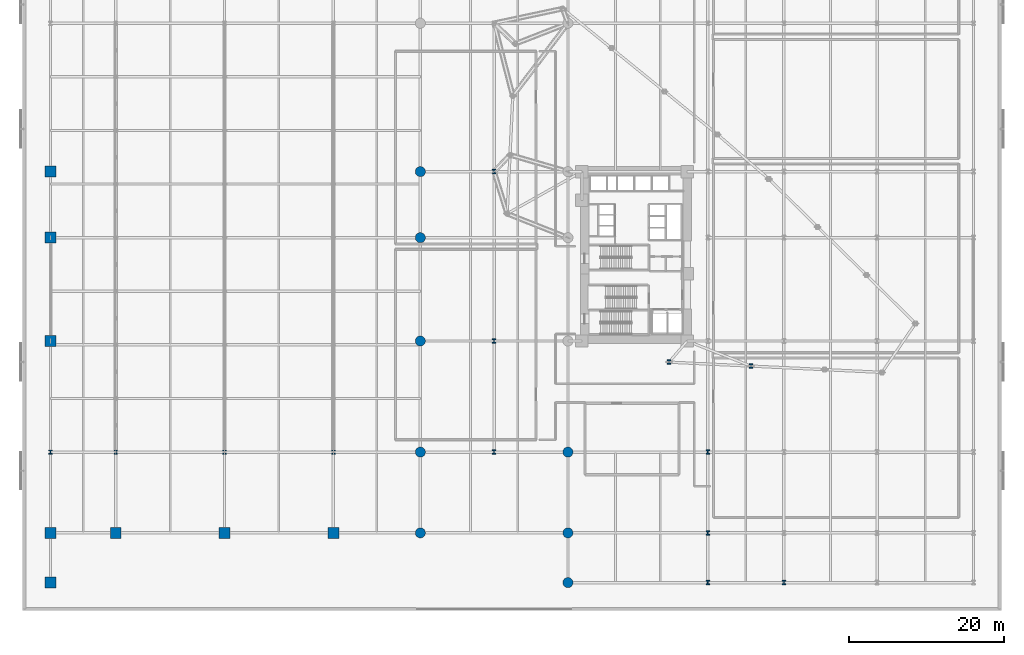
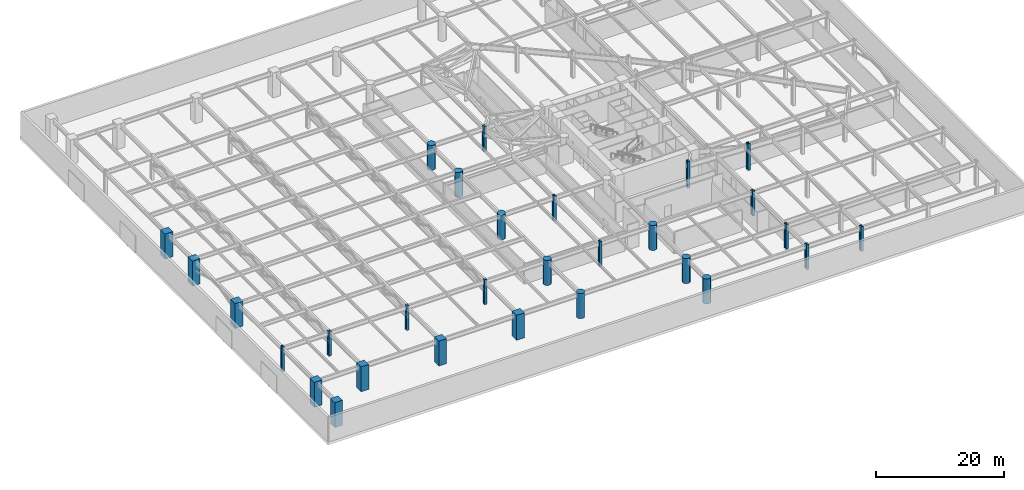
# One storey, part 1 of 40: 29 columns.
"""IFC4 building model written with IfcOpenShell, lengths in metres."""

from ifc_helpers import new_model, si_unit, direction, frame, origin, origin_2d, place, context, subcontext, project, spatial, rectangle, circle, i_section, extrude, material, material_profile, profile_set, type_object, element, save


model = new_model("IFC4")

# Units and contexts
model_context = context("Model", 3, precision=1e-05, world=origin(), true_north=direction((0.0, 1.0)))
body_context = subcontext(model_context, "Body", "Model", "MODEL_VIEW")
ifc_project = project(units=[si_unit("LENGTHUNIT", "METRE"), si_unit("AREAUNIT", "SQUARE_METRE"), si_unit("VOLUMEUNIT", "CUBIC_METRE"), si_unit("PLANEANGLEUNIT", "RADIAN"), si_unit("MASSUNIT", "GRAM", prefix="KILO")], contexts=[model_context])

# Site, building, storey
site_placement = place(None, origin())
site = spatial("IfcSite", under=ifc_project, at=site_placement, CompositionType="ELEMENT")
building_placement = place(site_placement, origin())
building = spatial("IfcBuilding", under=site, at=building_placement, Name="Narakoshi Arena Tower", CompositionType="ELEMENT")
storey_placement = place(building_placement, frame((0.0, 0.0, 21.60009765625)))
storey = spatial("IfcBuildingStorey", under=building, at=storey_placement, Name="L05", CompositionType="ELEMENT", Elevation=21.60009765625)

# Columns
ifc_material_1 = material(Name="Concrete C60/75", Category="concrete")
ifc_material_profile_1 = material_profile(ifc_material_1, circle(Radius=0.64990234375, at=origin_2d()), Name="RCC1300")
ifc_profile_set_1 = profile_set([ifc_material_profile_1], Name="Concrete C60/75")
column_type_1 = type_object("IfcColumnType", Name="COL-CIR1300", PredefinedType="PILASTER", material=ifc_profile_set_1)
for number, where, z_axis, x_axis, name in (
    (1, (51.199951171875, 10.0, 0.0), (0.0, 0.0, 1.0), (1.0, 0.0, 0.0), "L05 Podium Column PC22"),
    (2, (51.199951171875, 20.39990234375, 0.0), (0.0, 0.0, 1.0), (1.0, 0.0, 0.0), "L05 Podium Column PC23"),
    (3, (51.199951171875, 34.699951171875, 0.0), (0.0, 0.0, 1.0), (1.0, 0.0, 0.0), "L05 Podium Column PC24"),
    (4, (51.199951171875, 48.0, 0.0), (0.0, 0.0, 1.0), (1.0, 0.0, 0.0), "L05 Podium Column PC25"),
    (5, (51.199951171875, 56.5, 0.0), (0.0, 0.0, 1.0), (1.0, 0.0, 0.0), "L05 Podium Column PC26"),
    (6, (70.199951171875, 3.60009765625, 0.0), (0.0, 0.0, 1.0), (1.0, 0.0, 0.0), "L05 Podium Column PC33"),
    (7, (70.199951171875, 10.0, 0.0), (0.0, 0.0, 1.0), (1.0, 0.0, 0.0), "L05 Podium Column PC34"),
    (8, (70.199951171875, 20.39990234375, 0.0), (0.0, 0.0, 1.0), (1.0, 0.0, 0.0), "L05 Podium Column PC35"),
):
    element("IfcColumn", number, at=place(storey_placement, frame(where, z_axis=z_axis, x_axis=x_axis)), inside=storey, type_object=column_type_1, Name=name, PredefinedType="PILASTER", context=body_context, shape_type="SweptSolid", body=[
        extrude(circle(Radius=0.64990234375, at=origin_2d()), origin(), (0.0, 0.0, 1.0), 4.75),
    ])
ifc_material_profile_2 = material_profile(ifc_material_1, rectangle(XDim=1.39990234375, YDim=1.39990234375, at=origin_2d()), Name="RC1400x1400")
ifc_profile_set_2 = profile_set([ifc_material_profile_2], Name="Concrete C60/75")
column_type_2 = type_object("IfcColumnType", Name="COL-RC1400", PredefinedType="COLUMN", material=ifc_profile_set_2)
for number, where, z_axis, x_axis, name in (
    (9, (3.60009765625, 3.60009765625, 0.0), (0.0, 0.0, 1.0), (1.0, 0.0, 0.0), "L05 Podium Column PC01"),
    (10, (3.60009765625, 10.0, 0.0), (0.0, 0.0, 1.0), (1.0, 0.0, 0.0), "L05 Podium Column PC02"),
    (11, (3.60009765625, 34.699951171875, 0.0), (0.0, 0.0, 1.0), (1.0, 0.0, 0.0), "L05 Podium Column PC04"),
    (12, (3.60009765625, 48.0, 0.0), (0.0, 0.0, 1.0), (1.0, 0.0, 0.0), "L05 Podium Column PC05"),
    (13, (3.60009765625, 56.5, 0.0), (0.0, 0.0, 1.0), (1.0, 0.0, 0.0), "L05 Podium Column PC06"),
    (14, (12.0, 10.0, 0.0), (0.0, 0.0, 1.0), (1.0, 0.0, 0.0), "L05 Podium Column PC10"),
    (15, (26.0, 10.0, 0.0), (0.0, 0.0, 1.0), (1.0, 0.0, 0.0), "L05 Podium Column PC14"),
    (16, (40.0, 10.0, 0.0), (0.0, 0.0, 1.0), (1.0, 0.0, 0.0), "L05 Podium Column PC18"),
):
    element("IfcColumn", number, at=place(storey_placement, frame(where, z_axis=z_axis, x_axis=x_axis)), inside=storey, type_object=column_type_2, Name=name, PredefinedType="COLUMN", context=body_context, shape_type="SweptSolid", body=[
        extrude(rectangle(XDim=1.39990234375, YDim=1.39990234375, at=origin_2d()), origin(), (0.0, 0.0, 1.0), 4.75),
    ])
ifc_material_2 = material(Name="Structural steel S355J2", Category="steel")
ifc_material_profile_3 = material_profile(ifc_material_2, i_section(OverallWidth=0.4541015625, OverallDepth=0.569091796875, WebThickness=0.077880859375, FlangeThickness=0.125, FilletRadius=0.014892578125, at=origin_2d()), Name="HD400x1086")
ifc_profile_set_3 = profile_set([ifc_material_profile_3], Name="Structural steel S355J2")
column_type_3 = type_object("IfcColumnType", Name="COL-STL1086", PredefinedType="COLUMN", material=ifc_profile_set_3)
for number, where, z_axis, x_axis, name in (
    (17, (60.699951171875, 20.39990234375, 0.0), (0.0, 0.0, 1.0), (1.0, 0.0, 0.0), "L05 Podium Column PC29"),
    (18, (60.699951171875, 34.699951171875, 0.0), (0.0, 0.0, 1.0), (1.0, 0.0, 0.0), "L05 Podium Column PC30"),
    (19, (60.699951171875, 56.5, 0.0), (0.0, 0.0, 1.0), (1.0, 0.0, 0.0), "L05 Podium Column PC31"),
    (20, (88.199951171875, 3.60009765625, 0.0), (0.0, 0.0, 1.0), (1.0, 0.0, 0.0), "L05 Podium Column PC42"),
    (21, (88.199951171875, 10.0, 0.0), (0.0, 0.0, 1.0), (1.0, 0.0, 0.0), "L05 Podium Column PC43"),
    (22, (88.199951171875, 20.39990234375, 0.0), (0.0, 0.0, 1.0), (1.0, 0.0, 0.0), "L05 Podium Column PC44"),
    (23, (98.0, 3.60009765625, 0.0), (0.0, 0.0, 1.0), (1.0, 0.0, 0.0), "L05 Podium Column PC51"),
):
    element("IfcColumn", number, at=place(storey_placement, frame(where, z_axis=z_axis, x_axis=x_axis)), inside=storey, type_object=column_type_3, Name=name, PredefinedType="COLUMN", context=body_context, shape_type="SweptSolid", body=[
        extrude(i_section(OverallWidth=0.4541015625, OverallDepth=0.569091796875, WebThickness=0.077880859375, FlangeThickness=0.125, FilletRadius=0.014892578125, at=origin_2d()), origin(), (0.0, 0.0, 1.0), 4.75),
    ])
for number, where, z_axis, x_axis, name in (
    (24, (83.2119140625, 31.979248046875, 0.0), (0.0, 0.0, 1.0), (1.0, 0.0, 0.0), "L05 Tower Plumb Pier B1P01"),
    (25, (93.760009765625, 31.472412109375, 0.0), (0.0, 0.0, 1.0), (1.0, 0.0, 0.0), "L05 Tower Plumb Pier B1P02"),
):
    element("IfcColumn", number, at=place(storey_placement, frame(where, z_axis=z_axis, x_axis=x_axis)), inside=storey, type_object=column_type_3, Name=name, PredefinedType="COLUMN", context=body_context, shape_type="SweptSolid", body=[
        extrude(i_section(OverallWidth=0.4541015625, OverallDepth=0.569091796875, WebThickness=0.077880859375, FlangeThickness=0.125, FilletRadius=0.014892578125, at=origin_2d()), origin(), (0.0, 0.0, 1.0), 5.099853515625),
    ])
ifc_material_profile_4 = material_profile(ifc_material_2, i_section(OverallWidth=0.43701171875, OverallDepth=0.513916015625, WebThickness=0.060546875, FlangeThickness=0.096923828125, FilletRadius=0.014892578125, at=origin_2d()), Name="HD400x818")
ifc_profile_set_4 = profile_set([ifc_material_profile_4], Name="Structural steel S355J2")
column_type_4 = type_object("IfcColumnType", Name="COL-STL818", PredefinedType="COLUMN", material=ifc_profile_set_4)
for number, where, z_axis, x_axis, name in (
    (26, (3.60009765625, 20.39990234375, 0.0), (0.0, 0.0, 1.0), (1.0, 0.0, 0.0), "L05 Podium Column PC03"),
    (27, (12.0, 20.39990234375, 0.0), (0.0, 0.0, 1.0), (1.0, 0.0, 0.0), "L05 Podium Column PC11"),
    (28, (26.0, 20.39990234375, 0.0), (0.0, 0.0, 1.0), (1.0, 0.0, 0.0), "L05 Podium Column PC15"),
    (29, (40.0, 20.39990234375, 0.0), (0.0, 0.0, 1.0), (1.0, 0.0, 0.0), "L05 Podium Column PC19"),
):
    element("IfcColumn", number, at=place(storey_placement, frame(where, z_axis=z_axis, x_axis=x_axis)), inside=storey, type_object=column_type_4, Name=name, PredefinedType="COLUMN", context=body_context, shape_type="SweptSolid", body=[
        extrude(i_section(OverallWidth=0.43701171875, OverallDepth=0.513916015625, WebThickness=0.060546875, FlangeThickness=0.096923828125, FilletRadius=0.014892578125, at=origin_2d()), origin(), (0.0, 0.0, 1.0), 4.75),
    ])

save(model, "model.ifc")
